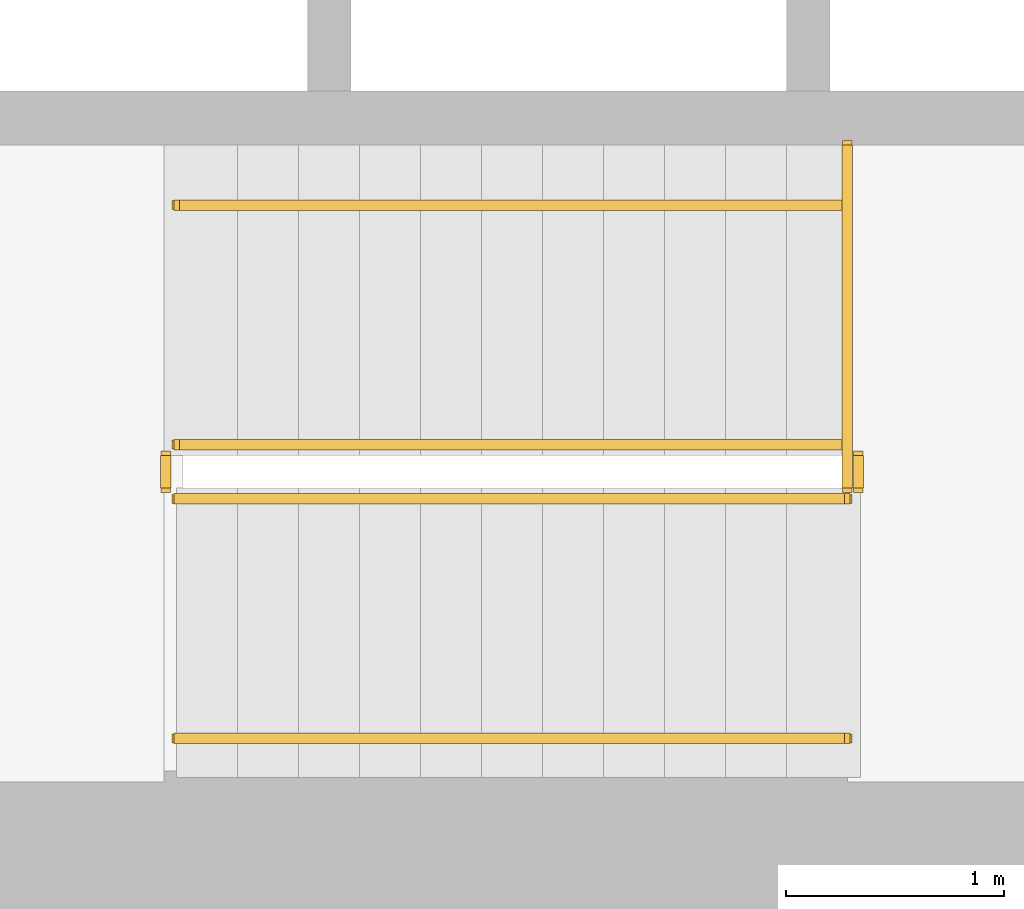
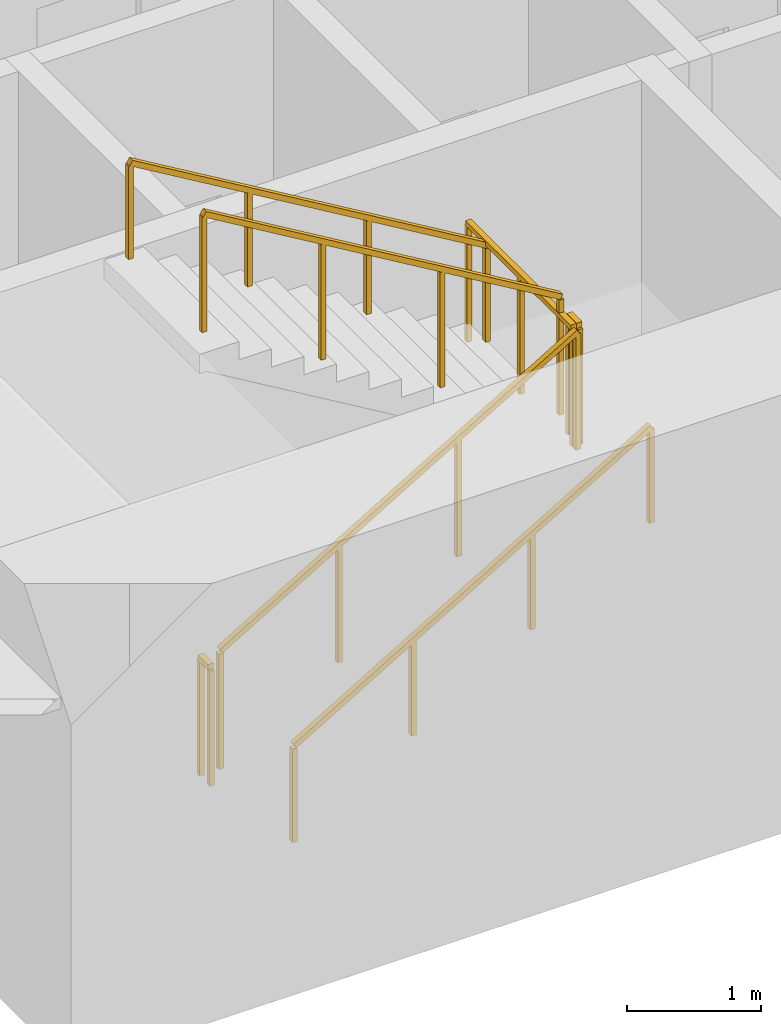
# One storey, part 12 of 15: 7 railings.
"""IFC4 building model written with IfcOpenShell, lengths in metres."""

from ifc_helpers import new_model, si_unit, direction, frame, origin, origin_2d, place, context, subcontext, project, spatial, rectangle, extrude, material, type_object, element, save


model = new_model("IFC4")

# Units and contexts
model_context = context("Model", 3, precision=1e-05, world=origin(), true_north=direction((0.0, 1.0)))
body_context = subcontext(model_context, "Body", "Model", "MODEL_VIEW")
ifc_project = project(units=[si_unit("LENGTHUNIT", "METRE"), si_unit("AREAUNIT", "SQUARE_METRE"), si_unit("VOLUMEUNIT", "CUBIC_METRE"), si_unit("PLANEANGLEUNIT", "RADIAN"), si_unit("MASSUNIT", "GRAM", prefix="KILO")], contexts=[model_context])

# Site, building, storey
site_placement = place(None, origin())
site = spatial("IfcSite", under=ifc_project, at=site_placement, CompositionType="ELEMENT")
building_placement = place(site_placement, origin())
building = spatial("IfcBuilding", under=site, at=building_placement, Name="Sennacour Bend Tower", CompositionType="ELEMENT")
storey_placement = place(building_placement, frame((0.0, 0.0, 61.0)))
storey = spatial("IfcBuildingStorey", under=building, at=storey_placement, Name="L13", CompositionType="ELEMENT", Elevation=61.0)

# Railings
ifc_material = material(Name="Stainless steel", Category="steel")
railing_type_1 = type_object("IfcRailingType", Name="RL-GUARD-1100", PredefinedType="GUARDRAIL", material=ifc_material)
railing_1_placement = place(storey_placement, frame((56.699951171875, 2.449951171875, 0.166748046875)))
element("IfcRailing", 1, at=railing_1_placement, inside=storey, type_object=railing_type_1, Name="L13 SA1 stair guard 1", PredefinedType="GUARDRAIL", context=body_context, shape_type="SweptSolid", body=[
    extrude(rectangle(XDim=0.048095703125, YDim=0.048095703125, at=origin_2d()), frame((0.0, 0.0, 1.076171875), z_axis=(0.859308565015, 0.0, 0.511457515432), x_axis=(0.0, 1.0, 0.0)), (0.0, 0.0, 1.0), 3.58447265625),
    extrude(rectangle(XDim=0.0419921875, YDim=0.0419921875, at=origin_2d()), origin(), (0.0, 0.0, 1.0), 1.052001953125),
    extrude(rectangle(XDim=0.0419921875, YDim=0.0419921875, at=origin_2d()), frame((1.026611328125, 0.0, 0.611083984375)), (0.0, 0.0, 1.0), 1.052001953125),
    extrude(rectangle(XDim=0.0419921875, YDim=0.0419921875, at=origin_2d()), frame((2.053466796875, 0.0, 1.22216796875)), (0.0, 0.0, 1.0), 1.052001953125),
    extrude(rectangle(XDim=0.0419921875, YDim=0.0419921875, at=origin_2d()), frame((3.080078125, 0.0, 1.833251953125)), (0.0, 0.0, 1.0), 1.052001953125),
])
railing_2_placement = place(storey_placement, frame((59.830078125, 2.5, 2.0)))
element("IfcRailing", 2, at=railing_2_placement, inside=storey, type_object=railing_type_1, Name="L13 SA1 stair guard 2", PredefinedType="GUARDRAIL", context=body_context, shape_type="SweptSolid", body=[
    extrude(rectangle(XDim=0.048095703125, YDim=0.048095703125, at=origin_2d()), frame((0.0, 0.0, 1.076171875), z_axis=(0.0, 1.0, 0.0), x_axis=(-1.0, 0.0, 0.0)), (0.0, 0.0, 1.0), 0.14990234375),
    extrude(rectangle(XDim=0.0419921875, YDim=0.0419921875, at=origin_2d()), origin(), (0.0, 0.0, 1.0), 1.052001953125),
    extrude(rectangle(XDim=0.0419921875, YDim=0.0419921875, at=origin_2d()), frame((0.0, 0.14990234375, 0.0)), (0.0, 0.0, 1.0), 1.052001953125),
])
railing_3_placement = place(storey_placement, frame((59.780029296875, 2.699951171875, 2.166748046875)))
element("IfcRailing", 3, at=railing_3_placement, inside=storey, type_object=railing_type_1, Name="L13 SA1 stair guard 4", PredefinedType="GUARDRAIL", context=body_context, shape_type="SweptSolid", body=[
    extrude(rectangle(XDim=0.048095703125, YDim=0.048095703125, at=origin_2d()), frame((0.0, 0.0, 1.076171875), z_axis=(-0.859308565015, 0.0, 0.511457515432), x_axis=(0.0, -1.0, 0.0)), (0.0, 0.0, 1.0), 3.58447265625),
    extrude(rectangle(XDim=0.0419921875, YDim=0.0419921875, at=origin_2d()), origin(), (0.0, 0.0, 1.0), 1.052001953125),
    extrude(rectangle(XDim=0.0419921875, YDim=0.0419921875, at=origin_2d()), frame((-1.026611328125, 0.0, 0.611083984375)), (0.0, 0.0, 1.0), 1.052001953125),
    extrude(rectangle(XDim=0.0419921875, YDim=0.0419921875, at=origin_2d()), frame((-2.053466796875, 0.0, 1.22216796875)), (0.0, 0.0, 1.0), 1.052001953125),
    extrude(rectangle(XDim=0.0419921875, YDim=0.0419921875, at=origin_2d()), frame((-3.080078125, 0.0, 1.833251953125)), (0.0, 0.0, 1.0), 1.052001953125),
])
railing_4_placement = place(storey_placement, frame((56.64990234375, 2.5, 0.0)))
element("IfcRailing", 4, at=railing_4_placement, inside=storey, type_object=railing_type_1, Name="L13 SA1 stair guard 5", PredefinedType="GUARDRAIL", context=body_context, shape_type="SweptSolid", body=[
    extrude(rectangle(XDim=0.048095703125, YDim=0.048095703125, at=origin_2d()), frame((0.0, 0.0, 1.076171875), z_axis=(0.0, 1.0, 0.0), x_axis=(-1.0, 0.0, 0.0)), (0.0, 0.0, 1.0), 0.14990234375),
    extrude(rectangle(XDim=0.0419921875, YDim=0.0419921875, at=origin_2d()), origin(), (0.0, 0.0, 1.0), 1.052001953125),
    extrude(rectangle(XDim=0.0419921875, YDim=0.0419921875, at=origin_2d()), frame((0.0, 0.14990234375, 0.0)), (0.0, 0.0, 1.0), 1.052001953125),
])
railing_5_placement = place(storey_placement, frame((59.780029296875, 2.5, 2.0)))
element("IfcRailing", 5, at=railing_5_placement, inside=storey, type_object=railing_type_1, Name="L13 SA1 landing edge guard 28", PredefinedType="GUARDRAIL", context=body_context, shape_type="SweptSolid", body=[
    extrude(rectangle(XDim=0.048095703125, YDim=0.048095703125, at=origin_2d()), frame((0.0, 0.0, 1.076171875), z_axis=(0.0, 1.0, 0.0), x_axis=(-1.0, 0.0, 0.0)), (0.0, 0.0, 1.0), 1.574951171875),
    extrude(rectangle(XDim=0.0419921875, YDim=0.0419921875, at=origin_2d()), origin(), (0.0, 0.0, 1.0), 1.052001953125),
    extrude(rectangle(XDim=0.0419921875, YDim=0.0419921875, at=origin_2d()), frame((0.0, 0.78759765625, 0.0)), (0.0, 0.0, 1.0), 1.052001953125),
    extrude(rectangle(XDim=0.0419921875, YDim=0.0419921875, at=origin_2d()), frame((0.0, 1.574951171875, 0.0)), (0.0, 0.0, 1.0), 1.052001953125),
])
railing_type_2 = type_object("IfcRailingType", Name="RL-HANDRAIL-900", PredefinedType="HANDRAIL", material=ifc_material)
railing_6_placement = place(storey_placement, frame((56.699951171875, 1.35009765625, 0.166748046875)))
element("IfcRailing", 6, at=railing_6_placement, inside=storey, type_object=railing_type_2, Name="L13 SA1 stair handrail 1", PredefinedType="HANDRAIL", context=body_context, shape_type="SweptSolid", body=[
    extrude(rectangle(XDim=0.048095703125, YDim=0.048095703125, at=origin_2d()), frame((0.0, 0.0, 0.8759765625), z_axis=(0.859308565015, 0.0, 0.511457515432), x_axis=(0.0, 1.0, 0.0)), (0.0, 0.0, 1.0), 3.58447265625),
    extrude(rectangle(XDim=0.0419921875, YDim=0.0419921875, at=origin_2d()), origin(), (0.0, 0.0, 1.0), 0.851806640625),
    extrude(rectangle(XDim=0.0419921875, YDim=0.0419921875, at=origin_2d()), frame((1.026611328125, 0.0, 0.611083984375)), (0.0, 0.0, 1.0), 0.851806640625),
    extrude(rectangle(XDim=0.0419921875, YDim=0.0419921875, at=origin_2d()), frame((2.053466796875, 0.0, 1.22216796875)), (0.0, 0.0, 1.0), 0.851806640625),
    extrude(rectangle(XDim=0.0419921875, YDim=0.0419921875, at=origin_2d()), frame((3.080078125, 0.0, 1.833251953125)), (0.0, 0.0, 1.0), 0.851806640625),
])
railing_7_placement = place(storey_placement, frame((59.780029296875, 3.800048828125, 2.166748046875)))
element("IfcRailing", 7, at=railing_7_placement, inside=storey, type_object=railing_type_2, Name="L13 SA1 stair handrail 2", PredefinedType="HANDRAIL", context=body_context, shape_type="SweptSolid", body=[
    extrude(rectangle(XDim=0.048095703125, YDim=0.048095703125, at=origin_2d()), frame((0.0, 0.0, 0.8759765625), z_axis=(-0.859308565015, 0.0, 0.511457515432), x_axis=(0.0, -1.0, 0.0)), (0.0, 0.0, 1.0), 3.58447265625),
    extrude(rectangle(XDim=0.0419921875, YDim=0.0419921875, at=origin_2d()), origin(), (0.0, 0.0, 1.0), 0.851806640625),
    extrude(rectangle(XDim=0.0419921875, YDim=0.0419921875, at=origin_2d()), frame((-1.026611328125, 0.0, 0.611083984375)), (0.0, 0.0, 1.0), 0.851806640625),
    extrude(rectangle(XDim=0.0419921875, YDim=0.0419921875, at=origin_2d()), frame((-2.053466796875, 0.0, 1.22216796875)), (0.0, 0.0, 1.0), 0.851806640625),
    extrude(rectangle(XDim=0.0419921875, YDim=0.0419921875, at=origin_2d()), frame((-3.080078125, 0.0, 1.833251953125)), (0.0, 0.0, 1.0), 0.851806640625),
])

save(model, "model.ifc")
